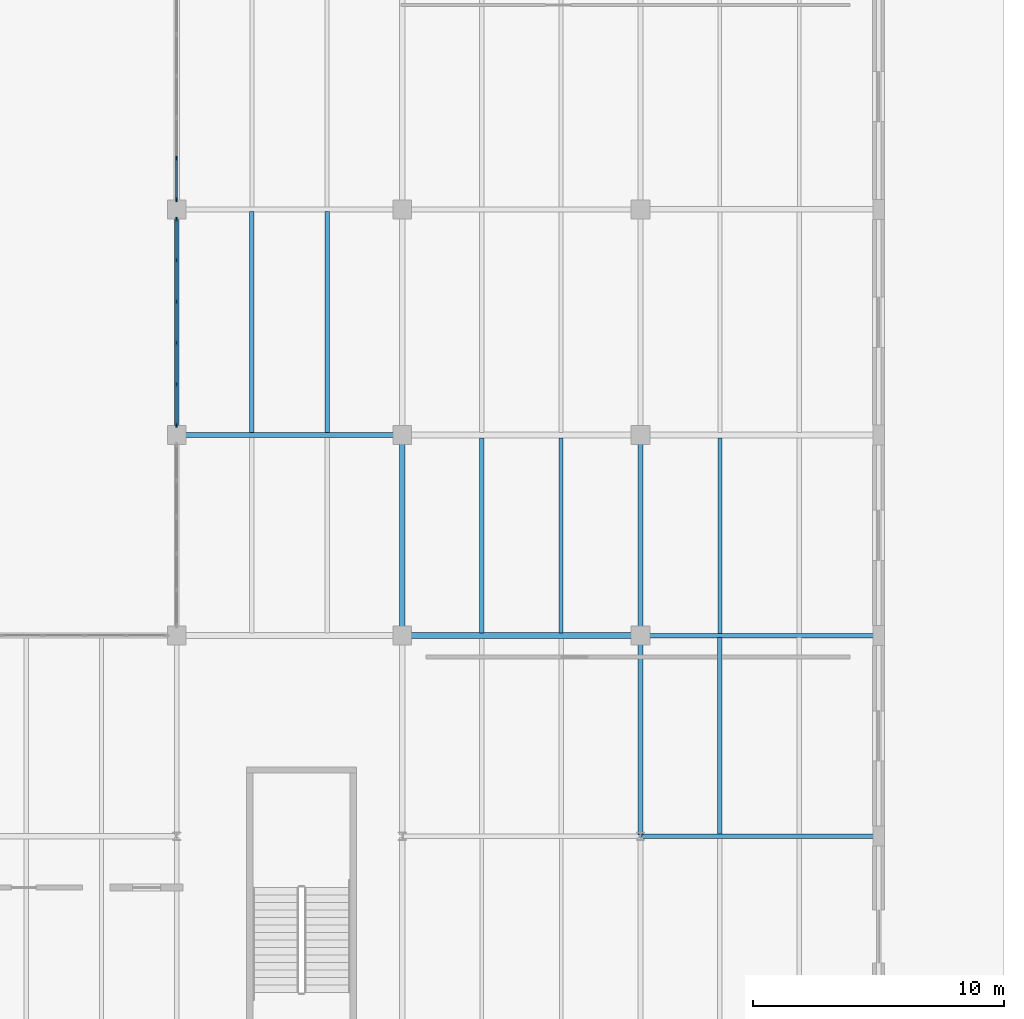
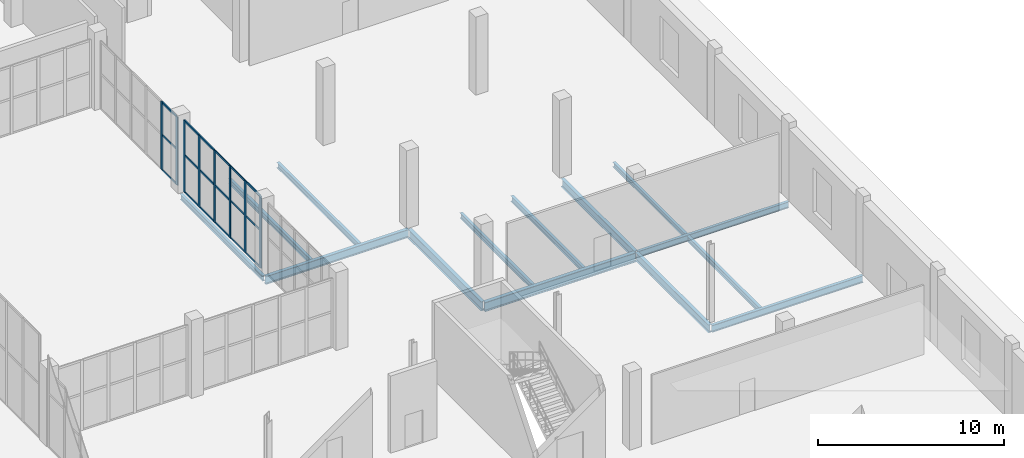
# One storey, part 59 of 103: 26 members, 14 beams, 2 elements without a shape of their own.
"""IFC4 building model written with IfcOpenShell, lengths in metres."""

from ifc_helpers import new_model, si_unit, direction, frame, origin, origin_2d, place, context, subcontext, project, spatial, rectangle, i_section, extrude, material, layer, layer_set, material_profile, profile_set, type_object, element, aggregate, save


model = new_model("IFC4")

# Units and contexts
model_context = context("Model", 3, precision=1e-05, world=origin(), true_north=direction((0.0, 1.0)))
body_context = subcontext(model_context, "Body", "Model", "MODEL_VIEW")
ifc_project = project(units=[si_unit("LENGTHUNIT", "METRE"), si_unit("AREAUNIT", "SQUARE_METRE"), si_unit("VOLUMEUNIT", "CUBIC_METRE"), si_unit("PLANEANGLEUNIT", "RADIAN"), si_unit("MASSUNIT", "GRAM", prefix="KILO")], contexts=[model_context])

# Site, building, storey
site_placement = place(None, origin())
site = spatial("IfcSite", under=ifc_project, at=site_placement, CompositionType="ELEMENT")
building_placement = place(site_placement, origin())
building = spatial("IfcBuilding", under=site, at=building_placement, Name="Marnock Terrace Opera House", CompositionType="ELEMENT")
storey_placement = place(building_placement, origin())
storey = spatial("IfcBuildingStorey", under=building, at=storey_placement, Name="L00", CompositionType="ELEMENT", Elevation=0.0)

# Beams
ifc_material_1 = material(Name="Steel Grade 350 (AS/NZS 3679.1)", Category="steel")
ifc_material_profile_1 = material_profile(ifc_material_1, i_section(OverallWidth=0.1708984375, OverallDepth=0.355712890625, WebThickness=0.00732421875, FlangeThickness=0.011474609375, FilletRadius=0.011474609375, at=origin_2d()))
ifc_profile_set_1 = profile_set([ifc_material_profile_1], Name="Steel Grade 350 (AS/NZS 3679.1)")
beam_type_1 = type_object("IfcBeamType", Name="BM-GIRD-360", PredefinedType="BEAM", material=ifc_profile_set_1)
beam_1_placement = place(storey_placement, frame((136.0, 48.050048828125, -0.477783203125), z_axis=(0.0, 1.0, 0.0), x_axis=(-1.0, 0.0, 0.0)))
element("IfcBeam", 1, at=beam_1_placement, inside=storey, type_object=beam_type_1, Name="L00 girder (X=136.0, 48.0..57.0)", PredefinedType="BEAM", context=body_context, shape_type="SweptSolid", body=[
    extrude(i_section(OverallWidth=0.1708984375, OverallDepth=0.355712890625, WebThickness=0.00732421875, FlangeThickness=0.011474609375, FilletRadius=0.011474609375, at=origin_2d()), origin(), (0.0, 0.0, 1.0), 8.89990234375),
])
ifc_material_profile_2 = material_profile(ifc_material_1, i_section(OverallWidth=0.177978515625, OverallDepth=0.402587890625, WebThickness=0.007568359375, FlangeThickness=0.010986328125, FilletRadius=0.011474609375, at=origin_2d()))
ifc_profile_set_2 = profile_set([ifc_material_profile_2], Name="Steel Grade 350 (AS/NZS 3679.1)")
beam_type_2 = type_object("IfcBeamType", Name="BM-GIRD-410", PredefinedType="BEAM", material=ifc_profile_set_2)
beam_2_placement = place(storey_placement, frame((154.550048828125, 40.0, -0.501220703125), z_axis=(1.0, 0.0, 0.0), x_axis=(0.0, 1.0, 0.0)))
element("IfcBeam", 2, at=beam_2_placement, inside=storey, type_object=beam_type_2, Name="L00 girder (154.5..164.0, Y=40.0)", PredefinedType="BEAM", context=body_context, shape_type="SweptSolid", body=[
    extrude(i_section(OverallWidth=0.177978515625, OverallDepth=0.402587890625, WebThickness=0.007568359375, FlangeThickness=0.010986328125, FilletRadius=0.011474609375, at=origin_2d()), origin(), (0.0, 0.0, 1.0), 9.39990234375),
])
ifc_material_profile_3 = material_profile(ifc_material_1, i_section(OverallWidth=0.19091796875, OverallDepth=0.46044921875, WebThickness=0.010009765625, FlangeThickness=0.01611328125, FilletRadius=0.011474609375, at=origin_2d()))
ifc_profile_set_3 = profile_set([ifc_material_profile_3], Name="Steel Grade 350 (AS/NZS 3679.1)")
beam_type_3 = type_object("IfcBeamType", Name="BM-GIRD-460A", PredefinedType="BEAM", material=ifc_profile_set_3)
beam_3_placement = place(storey_placement, frame((154.550048828125, 32.0, -0.5302734375), z_axis=(1.0, 0.0, 0.0), x_axis=(0.0, 1.0, 0.0)))
element("IfcBeam", 3, at=beam_3_placement, inside=storey, type_object=beam_type_3, Name="L00 girder (154.5..164.0, Y=32.0)", PredefinedType="BEAM", context=body_context, shape_type="SweptSolid", body=[
    extrude(i_section(OverallWidth=0.19091796875, OverallDepth=0.46044921875, WebThickness=0.010009765625, FlangeThickness=0.01611328125, FilletRadius=0.011474609375, at=origin_2d()), origin(), (0.0, 0.0, 1.0), 9.39990234375),
])
ifc_material_profile_4 = material_profile(ifc_material_1, i_section(OverallWidth=0.208984375, OverallDepth=0.532958984375, WebThickness=0.01025390625, FlangeThickness=0.015625, FilletRadius=0.013916015625, at=origin_2d()))
ifc_profile_set_4 = profile_set([ifc_material_profile_4], Name="Steel Grade 350 (AS/NZS 3679.1)")
beam_type_4 = type_object("IfcBeamType", Name="BM-GIRD-530A", PredefinedType="BEAM", material=ifc_profile_set_4)
beam_4_placement = place(storey_placement, frame((136.050048828125, 48.0, -0.56640625), z_axis=(1.0, 0.0, 0.0), x_axis=(0.0, 1.0, 0.0)))
element("IfcBeam", 4, at=beam_4_placement, inside=storey, type_object=beam_type_4, Name="L00 girder (136.0..145.0, Y=48.0)", PredefinedType="BEAM", context=body_context, shape_type="SweptSolid", body=[
    extrude(i_section(OverallWidth=0.208984375, OverallDepth=0.532958984375, WebThickness=0.01025390625, FlangeThickness=0.015625, FilletRadius=0.013916015625, at=origin_2d()), origin(), (0.0, 0.0, 1.0), 8.89990234375),
])
ifc_material_profile_5 = material_profile(ifc_material_1, i_section(OverallWidth=0.208984375, OverallDepth=0.528076171875, WebThickness=0.009521484375, FlangeThickness=0.01318359375, FilletRadius=0.013916015625, at=origin_2d()))
ifc_profile_set_5 = profile_set([ifc_material_profile_5], Name="Steel Grade 350 (AS/NZS 3679.1)")
beam_type_5 = type_object("IfcBeamType", Name="BM-GIRD-530B", PredefinedType="BEAM", material=ifc_profile_set_5)
for number, where, z_axis, x_axis, name in (
    (5, (154.5, 32.050048828125, -0.56396484375), (0.0, 1.0, 0.0), (-1.0, 0.0, 0.0), "L00 girder (X=154.5, 32.0..40.0)"),
    (6, (154.5, 40.050048828125, -0.56396484375), (0.0, 1.0, 0.0), (-1.0, 0.0, 0.0), "L00 girder (X=154.5, 40.0..48.0)"),
):
    element("IfcBeam", number, at=place(storey_placement, frame(where, z_axis=z_axis, x_axis=x_axis)), inside=storey, type_object=beam_type_5, Name=name, PredefinedType="BEAM", context=body_context, shape_type="SweptSolid", body=[
        extrude(i_section(OverallWidth=0.208984375, OverallDepth=0.528076171875, WebThickness=0.009521484375, FlangeThickness=0.01318359375, FilletRadius=0.013916015625, at=origin_2d()), origin(), (0.0, 0.0, 1.0), 7.89990234375),
    ])
ifc_material_profile_6 = material_profile(ifc_material_1, i_section(OverallWidth=0.22900390625, OverallDepth=0.611572265625, WebThickness=0.011962890625, FlangeThickness=0.01953125, FilletRadius=0.013916015625, at=origin_2d()))
ifc_profile_set_6 = profile_set([ifc_material_profile_6], Name="Steel Grade 350 (AS/NZS 3679.1)")
beam_type_6 = type_object("IfcBeamType", Name="BM-GIRD-610A", PredefinedType="BEAM", material=ifc_profile_set_6)
beam_5_placement = place(storey_placement, frame((145.050048828125, 40.0, -0.605712890625), z_axis=(1.0, 0.0, 0.0), x_axis=(0.0, 1.0, 0.0)))
element("IfcBeam", 7, at=beam_5_placement, inside=storey, type_object=beam_type_6, Name="L00 girder (145.0..154.5, Y=40.0)", PredefinedType="BEAM", context=body_context, shape_type="SweptSolid", body=[
    extrude(i_section(OverallWidth=0.22900390625, OverallDepth=0.611572265625, WebThickness=0.011962890625, FlangeThickness=0.01953125, FilletRadius=0.013916015625, at=origin_2d()), origin(), (0.0, 0.0, 1.0), 9.39990234375),
])
ifc_material_profile_7 = material_profile(ifc_material_1, i_section(OverallWidth=0.22802734375, OverallDepth=0.60205078125, WebThickness=0.010498046875, FlangeThickness=0.014892578125, FilletRadius=0.013916015625, at=origin_2d()))
ifc_profile_set_7 = profile_set([ifc_material_profile_7], Name="Steel Grade 350 (AS/NZS 3679.1)")
beam_type_7 = type_object("IfcBeamType", Name="BM-GIRD-610C", PredefinedType="BEAM", material=ifc_profile_set_7)
beam_6_placement = place(storey_placement, frame((145.0, 40.050048828125, -0.60107421875), z_axis=(0.0, 1.0, 0.0), x_axis=(-1.0, 0.0, 0.0)))
element("IfcBeam", 8, at=beam_6_placement, inside=storey, type_object=beam_type_7, Name="L00 girder (X=145.0, 40.0..48.0)", PredefinedType="BEAM", context=body_context, shape_type="SweptSolid", body=[
    extrude(i_section(OverallWidth=0.22802734375, OverallDepth=0.60205078125, WebThickness=0.010498046875, FlangeThickness=0.014892578125, FilletRadius=0.013916015625, at=origin_2d()), origin(), (0.0, 0.0, 1.0), 7.89990234375),
])
ifc_material_profile_8 = material_profile(ifc_material_1, i_section(OverallWidth=0.166015625, OverallDepth=0.30712890625, WebThickness=0.006591796875, FlangeThickness=0.01171875, FilletRadius=0.011474609375, at=origin_2d()))
ifc_profile_set_8 = profile_set([ifc_material_profile_8], Name="Steel Grade 350 (AS/NZS 3679.1)")
beam_type_8 = type_object("IfcBeamType", Name="BM-JOIST-310A", PredefinedType="JOIST", material=ifc_profile_set_8)
beam_7_placement = place(storey_placement, frame((157.666748046875, 40.083984375, -0.45361328125), z_axis=(0.0, 1.0, 0.0), x_axis=(-1.0, 0.0, 0.0)))
element("IfcBeam", 9, at=beam_7_placement, inside=storey, type_object=beam_type_8, Name="L00 secondary joist 17.5.1", PredefinedType="JOIST", context=body_context, shape_type="SweptSolid", body=[
    extrude(i_section(OverallWidth=0.166015625, OverallDepth=0.30712890625, WebThickness=0.006591796875, FlangeThickness=0.01171875, FilletRadius=0.011474609375, at=origin_2d()), origin(), (0.0, 0.0, 1.0), 7.806396484375),
])
ifc_material_profile_9 = material_profile(ifc_material_1, i_section(OverallWidth=0.172119140625, OverallDepth=0.358642578125, WebThickness=0.008056640625, FlangeThickness=0.012939453125, FilletRadius=0.011474609375, at=origin_2d()))
ifc_profile_set_9 = profile_set([ifc_material_profile_9], Name="Steel Grade 350 (AS/NZS 3679.1)")
beam_type_9 = type_object("IfcBeamType", Name="BM-JOIST-360", PredefinedType="JOIST", material=ifc_profile_set_9)
for number, where, z_axis, x_axis, name in (
    (10, (139.0, 48.099609375, -0.479248046875), (0.0, 1.0, 0.0), (-1.0, 0.0, 0.0), "L00 secondary joist 15.6.1"),
    (11, (142.0, 48.099609375, -0.479248046875), (0.0, 1.0, 0.0), (-1.0, 0.0, 0.0), "L00 secondary joist 15.6.2"),
):
    element("IfcBeam", number, at=place(storey_placement, frame(where, z_axis=z_axis, x_axis=x_axis)), inside=storey, type_object=beam_type_9, Name=name, PredefinedType="JOIST", context=body_context, shape_type="SweptSolid", body=[
        extrude(i_section(OverallWidth=0.172119140625, OverallDepth=0.358642578125, WebThickness=0.008056640625, FlangeThickness=0.012939453125, FilletRadius=0.011474609375, at=origin_2d()), origin(), (0.0, 0.0, 1.0), 8.809814453125),
    ])
for number, where, z_axis, x_axis, name in (
    (12, (148.166748046875, 40.109619140625, -0.479248046875), (0.0, 1.0, 0.0), (-1.0, 0.0, 0.0), "L00 secondary joist 16.5.1"),
    (13, (151.333251953125, 40.109619140625, -0.479248046875), (0.0, 1.0, 0.0), (-1.0, 0.0, 0.0), "L00 secondary joist 16.5.2"),
):
    element("IfcBeam", number, at=place(storey_placement, frame(where, z_axis=z_axis, x_axis=x_axis)), inside=storey, type_object=beam_type_9, Name=name, PredefinedType="JOIST", context=body_context, shape_type="SweptSolid", body=[
        extrude(i_section(OverallWidth=0.172119140625, OverallDepth=0.358642578125, WebThickness=0.008056640625, FlangeThickness=0.012939453125, FilletRadius=0.011474609375, at=origin_2d()), origin(), (0.0, 0.0, 1.0), 7.781494140625),
    ])
beam_8_placement = place(storey_placement, frame((157.666748046875, 32.090576171875, -0.479248046875), z_axis=(0.0, 1.0, 0.0), x_axis=(-1.0, 0.0, 0.0)))
element("IfcBeam", 14, at=beam_8_placement, inside=storey, type_object=beam_type_9, Name="L00 secondary joist 17.4.1", PredefinedType="JOIST", context=body_context, shape_type="SweptSolid", body=[
    extrude(i_section(OverallWidth=0.172119140625, OverallDepth=0.358642578125, WebThickness=0.008056640625, FlangeThickness=0.012939453125, FilletRadius=0.011474609375, at=origin_2d()), origin(), (0.0, 0.0, 1.0), 7.825439453125),
])

# Curtain wall, members
ifc_material_2 = material(Name="Anodised architectural bronze aluminium framing", Category="aluminium")
ifc_layer = layer(ifc_material_2, 0.159912109375)
ifc_layer_set = layer_set([ifc_layer], Name="Anodised architectural bronze aluminium framing")
curtain_wall_type = type_object("IfcCurtainWallType", Name="CW-LOGGIA-86x51", PredefinedType="NOTDEFINED", material=ifc_layer_set)
curtain_wall_1_placement = place(storey_placement, origin())
curtain_wall_1 = element("IfcCurtainWall", 15, at=curtain_wall_1_placement, inside=storey, type_object=curtain_wall_type, Name="L00 glazed Beaux-Arts colonnade curtain wall CW-V5-L00-CE2", PredefinedType="NOTDEFINED")
ifc_material_profile_10 = material_profile(ifc_material_2, rectangle(XDim=0.06494140625, YDim=0.179931640625, at=origin_2d()))
ifc_profile_set_10 = profile_set([ifc_material_profile_10], Name="Anodised architectural bronze aluminium framing")
member_type_1 = type_object("IfcMemberType", Name="CWM-65x180", PredefinedType="MULLION", material=ifc_profile_set_10)
member_1_placement = place(storey_placement, frame((136.0, 48.40087890625, 0.0), z_axis=(0.0, 0.0, 1.0), x_axis=(-1.0, 0.0, 0.0)))
member_1 = element("IfcMember", 16, at=member_1_placement, type_object=member_type_1, Name="CW-96 mullion 1", PredefinedType="MULLION", context=body_context, shape_type="SweptSolid", body=[
    extrude(rectangle(XDim=0.06494140625, YDim=0.179931640625, at=origin_2d()), origin(), (0.0, 0.0, 1.0), 4.734375),
])
member_2_placement = place(storey_placement, frame((136.0, 50.022705078125, 0.0), z_axis=(0.0, 0.0, 1.0), x_axis=(-1.0, 0.0, 0.0)))
member_2 = element("IfcMember", 17, at=member_2_placement, type_object=member_type_1, Name="CW-96 mullion 2", PredefinedType="MULLION", context=body_context, shape_type="SweptSolid", body=[
    extrude(rectangle(XDim=0.06494140625, YDim=0.179931640625, at=origin_2d()), origin(), (0.0, 0.0, 1.0), 4.734375),
])
member_3_placement = place(storey_placement, frame((136.0, 51.67431640625, 0.0), z_axis=(0.0, 0.0, 1.0), x_axis=(-1.0, 0.0, 0.0)))
member_3 = element("IfcMember", 18, at=member_3_placement, type_object=member_type_1, Name="CW-96 mullion 3", PredefinedType="MULLION", context=body_context, shape_type="SweptSolid", body=[
    extrude(rectangle(XDim=0.06494140625, YDim=0.179931640625, at=origin_2d()), origin(), (0.0, 0.0, 1.0), 4.734375),
])
member_4_placement = place(storey_placement, frame((136.0, 53.32568359375, 0.0), z_axis=(0.0, 0.0, 1.0), x_axis=(-1.0, 0.0, 0.0)))
member_4 = element("IfcMember", 19, at=member_4_placement, type_object=member_type_1, Name="CW-96 mullion 4", PredefinedType="MULLION", context=body_context, shape_type="SweptSolid", body=[
    extrude(rectangle(XDim=0.06494140625, YDim=0.179931640625, at=origin_2d()), origin(), (0.0, 0.0, 1.0), 4.734375),
])
member_5_placement = place(storey_placement, frame((136.0, 54.977294921875, 0.0), z_axis=(0.0, 0.0, 1.0), x_axis=(-1.0, 0.0, 0.0)))
member_5 = element("IfcMember", 20, at=member_5_placement, type_object=member_type_1, Name="CW-96 mullion 5", PredefinedType="MULLION", context=body_context, shape_type="SweptSolid", body=[
    extrude(rectangle(XDim=0.06494140625, YDim=0.179931640625, at=origin_2d()), origin(), (0.0, 0.0, 1.0), 4.734375),
])
member_6_placement = place(storey_placement, frame((136.0, 56.59912109375, 0.0), z_axis=(0.0, 0.0, 1.0), x_axis=(-1.0, 0.0, 0.0)))
member_6 = element("IfcMember", 21, at=member_6_placement, type_object=member_type_1, Name="CW-96 mullion 6", PredefinedType="MULLION", context=body_context, shape_type="SweptSolid", body=[
    extrude(rectangle(XDim=0.06494140625, YDim=0.179931640625, at=origin_2d()), origin(), (0.0, 0.0, 1.0), 4.734375),
])

curtain_wall_2_placement = place(storey_placement, origin())
curtain_wall_2 = element("IfcCurtainWall", 22, at=curtain_wall_2_placement, inside=storey, type_object=curtain_wall_type, Name="L00 glazed Beaux-Arts colonnade curtain wall CW-V5-L00-CE3", PredefinedType="NOTDEFINED")
member_7_placement = place(storey_placement, frame((136.0, 57.40087890625, 0.0), z_axis=(0.0, 0.0, 1.0), x_axis=(-1.0, 0.0, 0.0)))
member_7 = element("IfcMember", 23, at=member_7_placement, type_object=member_type_1, Name="CW-96 mullion 1", PredefinedType="MULLION", context=body_context, shape_type="SweptSolid", body=[
    extrude(rectangle(XDim=0.06494140625, YDim=0.179931640625, at=origin_2d()), origin(), (0.0, 0.0, 1.0), 4.488037109375),
])
member_8_placement = place(storey_placement, frame((136.0, 59.022705078125, 0.0), z_axis=(0.0, 0.0, 1.0), x_axis=(-1.0, 0.0, 0.0)))
member_8 = element("IfcMember", 24, at=member_8_placement, type_object=member_type_1, Name="CW-96 mullion 2", PredefinedType="MULLION", context=body_context, shape_type="SweptSolid", body=[
    extrude(rectangle(XDim=0.06494140625, YDim=0.179931640625, at=origin_2d()), origin(), (0.0, 0.0, 1.0), 4.488037109375),
])

# Member
ifc_material_profile_11 = material_profile(ifc_material_2, rectangle(XDim=0.06005859375, YDim=0.1298828125, at=origin_2d()))
ifc_profile_set_11 = profile_set([ifc_material_profile_11], Name="Anodised architectural bronze aluminium framing")
member_type_2 = type_object("IfcMemberType", Name="CWT-60x130", PredefinedType="USERDEFINED", material=ifc_profile_set_11)
member_9_placement = place(storey_placement, frame((136.0, 48.430908203125, 0.030029296875), z_axis=(0.0, 1.0, 0.0), x_axis=(-1.0, 0.0, 0.0)))
member_9 = element("IfcMember", 25, at=member_9_placement, type_object=member_type_2, Name="CW-96 transom 1.1", ObjectType="TRANSOM", PredefinedType="USERDEFINED", context=body_context, shape_type="SweptSolid", body=[
    extrude(rectangle(XDim=0.06005859375, YDim=0.1298828125, at=origin_2d()), origin(), (0.0, 0.0, 1.0), 1.561767578125),
])

member_10_placement = place(storey_placement, frame((136.0, 48.430908203125, 2.4619140625), z_axis=(0.0, 1.0, 0.0), x_axis=(-1.0, 0.0, 0.0)))
member_10 = element("IfcMember", 26, at=member_10_placement, type_object=member_type_2, Name="CW-96 transom 1.2", ObjectType="TRANSOM", PredefinedType="USERDEFINED", context=body_context, shape_type="SweptSolid", body=[
    extrude(rectangle(XDim=0.06005859375, YDim=0.1298828125, at=origin_2d()), origin(), (0.0, 0.0, 1.0), 1.561767578125),
])

member_11_placement = place(storey_placement, frame((136.0, 48.430908203125, 4.704345703125), z_axis=(0.0, 1.0, 0.0), x_axis=(-1.0, 0.0, 0.0)))
member_11 = element("IfcMember", 27, at=member_11_placement, type_object=member_type_2, Name="CW-96 transom 1.3", ObjectType="TRANSOM", PredefinedType="USERDEFINED", context=body_context, shape_type="SweptSolid", body=[
    extrude(rectangle(XDim=0.06005859375, YDim=0.1298828125, at=origin_2d()), origin(), (0.0, 0.0, 1.0), 1.561767578125),
])

member_12_placement = place(storey_placement, frame((136.0, 50.052490234375, 0.030029296875), z_axis=(0.0, 1.0, 0.0), x_axis=(-1.0, 0.0, 0.0)))
member_12 = element("IfcMember", 28, at=member_12_placement, type_object=member_type_2, Name="CW-96 transom 2.1", ObjectType="TRANSOM", PredefinedType="USERDEFINED", context=body_context, shape_type="SweptSolid", body=[
    extrude(rectangle(XDim=0.06005859375, YDim=0.1298828125, at=origin_2d()), origin(), (0.0, 0.0, 1.0), 1.591796875),
])

member_13_placement = place(storey_placement, frame((136.0, 50.052490234375, 2.4619140625), z_axis=(0.0, 1.0, 0.0), x_axis=(-1.0, 0.0, 0.0)))
member_13 = element("IfcMember", 29, at=member_13_placement, type_object=member_type_2, Name="CW-96 transom 2.2", ObjectType="TRANSOM", PredefinedType="USERDEFINED", context=body_context, shape_type="SweptSolid", body=[
    extrude(rectangle(XDim=0.06005859375, YDim=0.1298828125, at=origin_2d()), origin(), (0.0, 0.0, 1.0), 1.591796875),
])

member_14_placement = place(storey_placement, frame((136.0, 50.052490234375, 4.704345703125), z_axis=(0.0, 1.0, 0.0), x_axis=(-1.0, 0.0, 0.0)))
member_14 = element("IfcMember", 30, at=member_14_placement, type_object=member_type_2, Name="CW-96 transom 2.3", ObjectType="TRANSOM", PredefinedType="USERDEFINED", context=body_context, shape_type="SweptSolid", body=[
    extrude(rectangle(XDim=0.06005859375, YDim=0.1298828125, at=origin_2d()), origin(), (0.0, 0.0, 1.0), 1.591796875),
])

member_15_placement = place(storey_placement, frame((136.0, 51.7041015625, 0.030029296875), z_axis=(0.0, 1.0, 0.0), x_axis=(-1.0, 0.0, 0.0)))
member_15 = element("IfcMember", 31, at=member_15_placement, type_object=member_type_2, Name="CW-96 transom 3.1", ObjectType="TRANSOM", PredefinedType="USERDEFINED", context=body_context, shape_type="SweptSolid", body=[
    extrude(rectangle(XDim=0.06005859375, YDim=0.1298828125, at=origin_2d()), origin(), (0.0, 0.0, 1.0), 1.591796875),
])

member_16_placement = place(storey_placement, frame((136.0, 51.7041015625, 2.4619140625), z_axis=(0.0, 1.0, 0.0), x_axis=(-1.0, 0.0, 0.0)))
member_16 = element("IfcMember", 32, at=member_16_placement, type_object=member_type_2, Name="CW-96 transom 3.2", ObjectType="TRANSOM", PredefinedType="USERDEFINED", context=body_context, shape_type="SweptSolid", body=[
    extrude(rectangle(XDim=0.06005859375, YDim=0.1298828125, at=origin_2d()), origin(), (0.0, 0.0, 1.0), 1.591796875),
])

member_17_placement = place(storey_placement, frame((136.0, 51.7041015625, 4.704345703125), z_axis=(0.0, 1.0, 0.0), x_axis=(-1.0, 0.0, 0.0)))
member_17 = element("IfcMember", 33, at=member_17_placement, type_object=member_type_2, Name="CW-96 transom 3.3", ObjectType="TRANSOM", PredefinedType="USERDEFINED", context=body_context, shape_type="SweptSolid", body=[
    extrude(rectangle(XDim=0.06005859375, YDim=0.1298828125, at=origin_2d()), origin(), (0.0, 0.0, 1.0), 1.591796875),
])

member_18_placement = place(storey_placement, frame((136.0, 53.355712890625, 0.030029296875), z_axis=(0.0, 1.0, 0.0), x_axis=(-1.0, 0.0, 0.0)))
member_18 = element("IfcMember", 34, at=member_18_placement, type_object=member_type_2, Name="CW-96 transom 4.1", ObjectType="TRANSOM", PredefinedType="USERDEFINED", context=body_context, shape_type="SweptSolid", body=[
    extrude(rectangle(XDim=0.06005859375, YDim=0.1298828125, at=origin_2d()), origin(), (0.0, 0.0, 1.0), 1.591796875),
])

member_19_placement = place(storey_placement, frame((136.0, 53.355712890625, 2.4619140625), z_axis=(0.0, 1.0, 0.0), x_axis=(-1.0, 0.0, 0.0)))
member_19 = element("IfcMember", 35, at=member_19_placement, type_object=member_type_2, Name="CW-96 transom 4.2", ObjectType="TRANSOM", PredefinedType="USERDEFINED", context=body_context, shape_type="SweptSolid", body=[
    extrude(rectangle(XDim=0.06005859375, YDim=0.1298828125, at=origin_2d()), origin(), (0.0, 0.0, 1.0), 1.591796875),
])

member_20_placement = place(storey_placement, frame((136.0, 53.355712890625, 4.704345703125), z_axis=(0.0, 1.0, 0.0), x_axis=(-1.0, 0.0, 0.0)))
member_20 = element("IfcMember", 36, at=member_20_placement, type_object=member_type_2, Name="CW-96 transom 4.3", ObjectType="TRANSOM", PredefinedType="USERDEFINED", context=body_context, shape_type="SweptSolid", body=[
    extrude(rectangle(XDim=0.06005859375, YDim=0.1298828125, at=origin_2d()), origin(), (0.0, 0.0, 1.0), 1.591796875),
])

member_21_placement = place(storey_placement, frame((136.0, 55.00732421875, 0.030029296875), z_axis=(0.0, 1.0, 0.0), x_axis=(-1.0, 0.0, 0.0)))
member_21 = element("IfcMember", 37, at=member_21_placement, type_object=member_type_2, Name="CW-96 transom 5.1", ObjectType="TRANSOM", PredefinedType="USERDEFINED", context=body_context, shape_type="SweptSolid", body=[
    extrude(rectangle(XDim=0.06005859375, YDim=0.1298828125, at=origin_2d()), origin(), (0.0, 0.0, 1.0), 1.561767578125),
])

member_22_placement = place(storey_placement, frame((136.0, 55.00732421875, 2.4619140625), z_axis=(0.0, 1.0, 0.0), x_axis=(-1.0, 0.0, 0.0)))
member_22 = element("IfcMember", 38, at=member_22_placement, type_object=member_type_2, Name="CW-96 transom 5.2", ObjectType="TRANSOM", PredefinedType="USERDEFINED", context=body_context, shape_type="SweptSolid", body=[
    extrude(rectangle(XDim=0.06005859375, YDim=0.1298828125, at=origin_2d()), origin(), (0.0, 0.0, 1.0), 1.561767578125),
])

member_23_placement = place(storey_placement, frame((136.0, 55.00732421875, 4.704345703125), z_axis=(0.0, 1.0, 0.0), x_axis=(-1.0, 0.0, 0.0)))
member_23 = element("IfcMember", 39, at=member_23_placement, type_object=member_type_2, Name="CW-96 transom 5.3", ObjectType="TRANSOM", PredefinedType="USERDEFINED", context=body_context, shape_type="SweptSolid", body=[
    extrude(rectangle(XDim=0.06005859375, YDim=0.1298828125, at=origin_2d()), origin(), (0.0, 0.0, 1.0), 1.561767578125),
])

aggregate(curtain_wall_1, [member_1, member_2, member_3, member_4, member_5, member_6, member_9, member_10, member_11, member_12, member_13, member_14, member_15, member_16, member_17, member_18, member_19, member_20, member_21, member_22, member_23])

member_24_placement = place(storey_placement, frame((136.0, 57.430908203125, 0.030029296875), z_axis=(0.0, 1.0, 0.0), x_axis=(-1.0, 0.0, 0.0)))
member_24 = element("IfcMember", 40, at=member_24_placement, type_object=member_type_2, Name="CW-96 transom 1.1", ObjectType="TRANSOM", PredefinedType="USERDEFINED", context=body_context, shape_type="SweptSolid", body=[
    extrude(rectangle(XDim=0.06005859375, YDim=0.1298828125, at=origin_2d()), origin(), (0.0, 0.0, 1.0), 1.561767578125),
])

member_25_placement = place(storey_placement, frame((136.0, 57.430908203125, 2.333740234375), z_axis=(0.0, 1.0, 0.0), x_axis=(-1.0, 0.0, 0.0)))
member_25 = element("IfcMember", 41, at=member_25_placement, type_object=member_type_2, Name="CW-96 transom 1.2", ObjectType="TRANSOM", PredefinedType="USERDEFINED", context=body_context, shape_type="SweptSolid", body=[
    extrude(rectangle(XDim=0.06005859375, YDim=0.1298828125, at=origin_2d()), origin(), (0.0, 0.0, 1.0), 1.561767578125),
])

member_26_placement = place(storey_placement, frame((136.0, 57.430908203125, 4.4580078125), z_axis=(0.0, 1.0, 0.0), x_axis=(-1.0, 0.0, 0.0)))
member_26 = element("IfcMember", 42, at=member_26_placement, type_object=member_type_2, Name="CW-96 transom 1.3", ObjectType="TRANSOM", PredefinedType="USERDEFINED", context=body_context, shape_type="SweptSolid", body=[
    extrude(rectangle(XDim=0.06005859375, YDim=0.1298828125, at=origin_2d()), origin(), (0.0, 0.0, 1.0), 1.561767578125),
])

aggregate(curtain_wall_2, [member_7, member_8, member_24, member_25, member_26])

save(model, "model.ifc")
